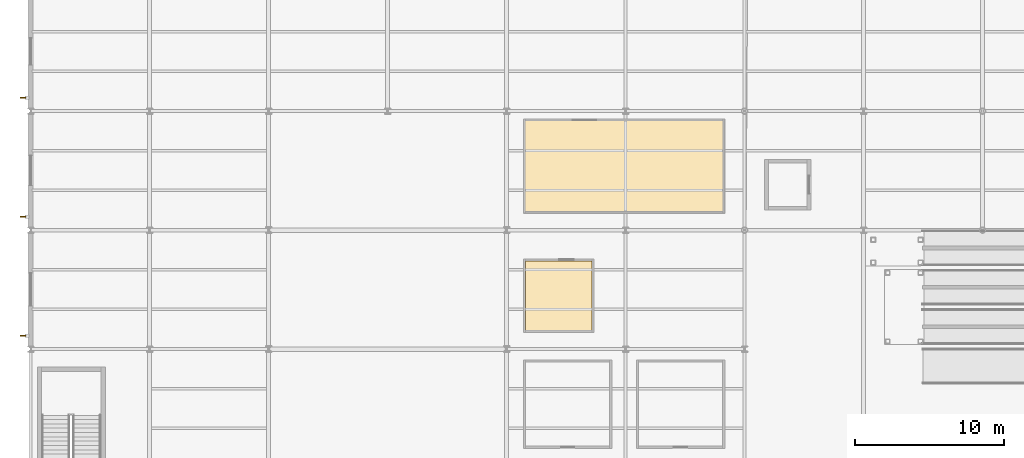
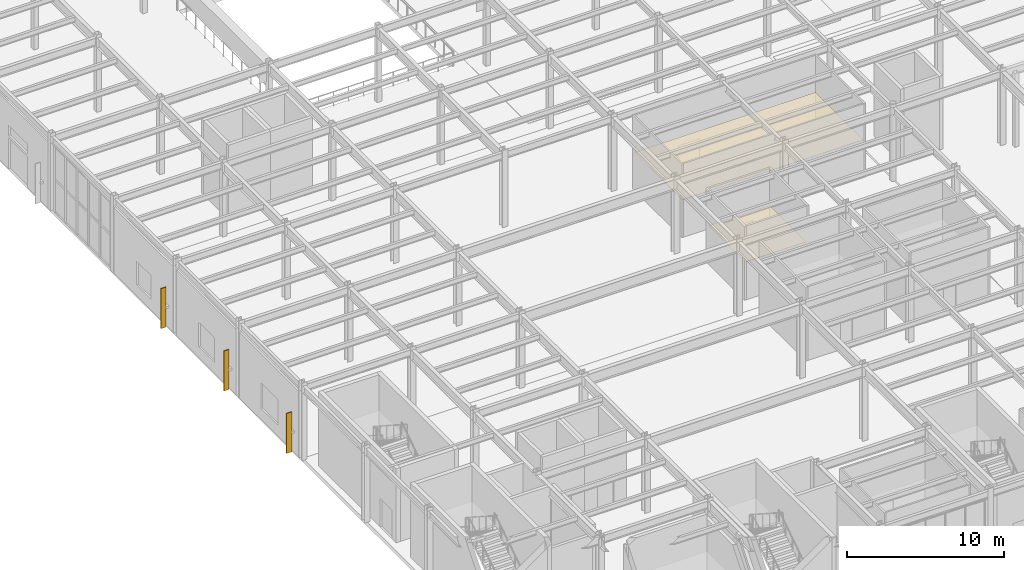
# One storey, part 73 of 82: 3 shading devices, 2 coverings.
"""IFC4 building model written with IfcOpenShell, lengths in metres."""

from ifc_helpers import new_model, si_unit, direction, frame, origin, origin_2d, place, context, subcontext, project, spatial, polyline, rectangle, outline, extrude, material, layer, layer_set, type_object, element, save


model = new_model("IFC4")

# Units and contexts
model_context = context("Model", 3, precision=1e-05, world=origin(), true_north=direction((0.0, 1.0)))
body_context = subcontext(model_context, "Body", "Model", "MODEL_VIEW")
ifc_project = project(units=[si_unit("LENGTHUNIT", "METRE"), si_unit("AREAUNIT", "SQUARE_METRE"), si_unit("VOLUMEUNIT", "CUBIC_METRE"), si_unit("PLANEANGLEUNIT", "RADIAN"), si_unit("MASSUNIT", "GRAM", prefix="KILO")], contexts=[model_context])

# Site, building, storey
site_placement = place(None, origin())
site = spatial("IfcSite", under=ifc_project, at=site_placement, CompositionType="ELEMENT")
building_placement = place(site_placement, origin())
building = spatial("IfcBuilding", under=site, at=building_placement, Name="Drelvath Fold Interchange", CompositionType="ELEMENT")
storey_placement = place(building_placement, origin())
storey = spatial("IfcBuildingStorey", under=building, at=storey_placement, Name="L00", CompositionType="ELEMENT", Elevation=0.0)

# Coverings
ifc_material_1 = material(Name="Perforated Aluminium Acoustic Ceiling", Category="aluminium")
ifc_layer = layer(ifc_material_1, 0.01806640625, Name="Perforated Aluminium Acoustic Ceiling")
ifc_layer_set = layer_set([ifc_layer], Name="Perforated Aluminium Acoustic Ceiling")
covering_type = type_object("IfcCoveringType", Name="CV-CEIL-AL18", PredefinedType="CEILING", material=ifc_layer_set)
covering_1_placement = place(storey_placement, frame((0.0, 0.0, 2.830078125)))
element("IfcCovering", 1, at=covering_1_placement, inside=storey, type_object=covering_type, Name="Ground Concourse Accessible WC acoustic ceiling", PredefinedType="CEILING", context=body_context, shape_type="SweptSolid", body=[
    extrude(outline(polyline([(37.262939453125, 36.262939453125), (41.737060546875, 36.262939453125), (41.737060546875, 40.93798828125), (37.262939453125, 40.93798828125), (37.262939453125, 36.262939453125)])), origin(), (0.0, 0.0, 1.0), 0.02001953125),
])
covering_2_placement = place(storey_placement, frame((0.0, 0.0, 2.830078125)))
element("IfcCovering", 2, at=covering_2_placement, inside=storey, type_object=covering_type, Name="Concourse Bookshop and Newsstand acoustic ceiling", PredefinedType="CEILING", context=body_context, shape_type="SweptSolid", body=[
    extrude(outline(polyline([(37.248046875, 44.248046875), (50.552978515625, 44.248046875), (50.552978515625, 50.35205078125), (37.248046875, 50.35205078125), (37.248046875, 44.248046875)])), origin(), (0.0, 0.0, 1.0), 0.02001953125),
])

# Shading devices
ifc_material_2 = material(Name="Anodized Aluminium 6063-T6", Category="aluminium")
shading_device_type = type_object("IfcShadingDeviceType", Name="SD-FIN380", PredefinedType="JALOUSIE", material=ifc_material_2)
for number, where, z_axis, x_axis, name in (
    (3, (3.492919921875, 35.89306640625, 0.099853515625), (0.0, 0.0, 1.0), (1.0, 0.0, 0.0), "Vertical aluminium solar fin 16"),
    (4, (3.492919921875, 43.89306640625, 0.099853515625), (0.0, 0.0, 1.0), (1.0, 0.0, 0.0), "Vertical aluminium solar fin 17"),
    (5, (3.492919921875, 51.89306640625, 0.099853515625), (0.0, 0.0, 1.0), (1.0, 0.0, 0.0), "Vertical aluminium solar fin 18"),
):
    element("IfcShadingDevice", number, at=place(storey_placement, frame(where, z_axis=z_axis, x_axis=x_axis)), inside=storey, type_object=shading_device_type, Name=name, PredefinedType="JALOUSIE", context=body_context, shape_type="SweptSolid", body=[
        extrude(rectangle(XDim=0.3798828125, YDim=0.06494140625, at=origin_2d()), origin(), (0.0, 0.0, 1.0), 3.10009765625),
    ])

save(model, "model.ifc")
